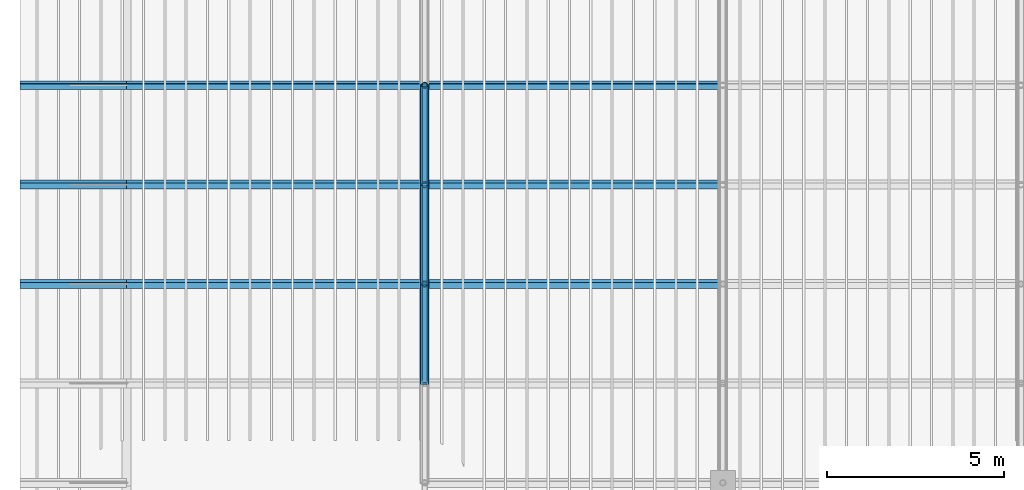
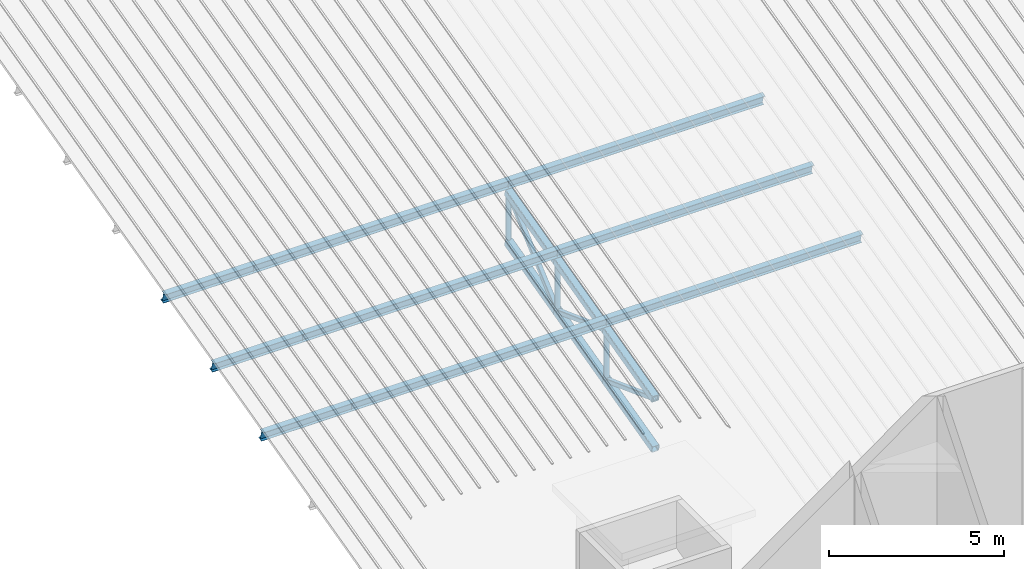
# One storey, part 6 of 114: 21 members.
"""IFC4 building model written with IfcOpenShell, lengths in metres."""

from ifc_helpers import new_model, si_unit, direction, frame, origin, origin_2d, place, context, subcontext, project, spatial, hollow_rectangle, hollow_circle, i_section, extrude, material, material_profile, profile_set, type_object, element, save


model = new_model("IFC4")

# Units and contexts
model_context = context("Model", 3, precision=1e-05, world=origin(), true_north=direction((0.0, 1.0)))
body_context = subcontext(model_context, "Body", "Model", "MODEL_VIEW")
ifc_project = project(units=[si_unit("LENGTHUNIT", "METRE"), si_unit("AREAUNIT", "SQUARE_METRE"), si_unit("VOLUMEUNIT", "CUBIC_METRE"), si_unit("PLANEANGLEUNIT", "RADIAN"), si_unit("MASSUNIT", "GRAM", prefix="KILO")], contexts=[model_context])

# Site, building, storey
site_placement = place(None, origin())
site = spatial("IfcSite", under=ifc_project, at=site_placement, CompositionType="ELEMENT")
building_placement = place(site_placement, origin())
building = spatial("IfcBuilding", under=site, at=building_placement, Name="Almond Square Museum", CompositionType="ELEMENT")
storey_placement = place(building_placement, frame((0.0, 0.0, 10.5)))
storey = spatial("IfcBuildingStorey", under=building, at=storey_placement, Name="L02", CompositionType="ELEMENT", Elevation=10.5)

# Members
ifc_material_1 = material(Name="Structural steel S355", Category="steel")
ifc_material_profile_1 = material_profile(ifc_material_1, i_section(OverallWidth=0.1708984375, OverallDepth=0.35595703125, WebThickness=0.00732421875, FlangeThickness=0.01171875, at=origin_2d()))
ifc_profile_set_1 = profile_set([ifc_material_profile_1], Name="Structural steel S355")
member_type_1 = type_object("IfcMemberType", Name="Steel purlin W360x51", PredefinedType="PURLIN", material=ifc_profile_set_1)
member_1_placement = place(storey_placement, frame((6.0, 89.60009765625, 4.454833984375), z_axis=(1.0, 0.0, 0.0), x_axis=(0.0, 0.969459905022, 0.245249857402)))
element("IfcMember", 1, at=member_1_placement, inside=storey, type_object=member_type_1, Name="Auditorium purlin 7.1", PredefinedType="PURLIN", context=body_context, shape_type="SweptSolid", body=[
    extrude(i_section(OverallWidth=0.1708984375, OverallDepth=0.35595703125, WebThickness=0.00732421875, FlangeThickness=0.01171875, at=origin_2d()), origin(), (0.0, 0.0, 1.0), 8.39990234375),
])
member_2_placement = place(storey_placement, frame((14.39990234375, 89.60009765625, 4.454833984375), z_axis=(1.0, 0.0, 0.0), x_axis=(0.0, 0.969459905022, 0.245249857402)))
element("IfcMember", 2, at=member_2_placement, inside=storey, type_object=member_type_1, Name="Auditorium purlin 7.2", PredefinedType="PURLIN", context=body_context, shape_type="SweptSolid", body=[
    extrude(i_section(OverallWidth=0.1708984375, OverallDepth=0.35595703125, WebThickness=0.00732421875, FlangeThickness=0.01171875, at=origin_2d()), origin(), (0.0, 0.0, 1.0), 8.400146484375),
])
member_3_placement = place(storey_placement, frame((6.0, 92.39990234375, 5.1630859375), z_axis=(1.0, 0.0, 0.0), x_axis=(0.0, 0.969459905022, 0.245249857402)))
element("IfcMember", 3, at=member_3_placement, inside=storey, type_object=member_type_1, Name="Auditorium purlin 8.1", PredefinedType="PURLIN", context=body_context, shape_type="SweptSolid", body=[
    extrude(i_section(OverallWidth=0.1708984375, OverallDepth=0.35595703125, WebThickness=0.00732421875, FlangeThickness=0.01171875, at=origin_2d()), origin(), (0.0, 0.0, 1.0), 8.39990234375),
])
member_4_placement = place(storey_placement, frame((14.39990234375, 92.39990234375, 5.1630859375), z_axis=(1.0, 0.0, 0.0), x_axis=(0.0, 0.969459905022, 0.245249857402)))
element("IfcMember", 4, at=member_4_placement, inside=storey, type_object=member_type_1, Name="Auditorium purlin 8.2", PredefinedType="PURLIN", context=body_context, shape_type="SweptSolid", body=[
    extrude(i_section(OverallWidth=0.1708984375, OverallDepth=0.35595703125, WebThickness=0.00732421875, FlangeThickness=0.01171875, at=origin_2d()), origin(), (0.0, 0.0, 1.0), 8.400146484375),
])
member_5_placement = place(storey_placement, frame((6.0, 95.199951171875, 5.87158203125), z_axis=(1.0, 0.0, 0.0), x_axis=(0.0, 0.969459905022, 0.245249857402)))
element("IfcMember", 5, at=member_5_placement, inside=storey, type_object=member_type_1, Name="Auditorium purlin 9.1", PredefinedType="PURLIN", context=body_context, shape_type="SweptSolid", body=[
    extrude(i_section(OverallWidth=0.1708984375, OverallDepth=0.35595703125, WebThickness=0.00732421875, FlangeThickness=0.01171875, at=origin_2d()), origin(), (0.0, 0.0, 1.0), 8.39990234375),
])
member_6_placement = place(storey_placement, frame((14.39990234375, 95.199951171875, 5.87158203125), z_axis=(1.0, 0.0, 0.0), x_axis=(0.0, 0.969459905022, 0.245249857402)))
element("IfcMember", 6, at=member_6_placement, inside=storey, type_object=member_type_1, Name="Auditorium purlin 9.2", PredefinedType="PURLIN", context=body_context, shape_type="SweptSolid", body=[
    extrude(i_section(OverallWidth=0.1708984375, OverallDepth=0.35595703125, WebThickness=0.00732421875, FlangeThickness=0.01171875, at=origin_2d()), origin(), (0.0, 0.0, 1.0), 8.400146484375),
])
for number, where, z_axis, x_axis, name in (
    (7, (3.0, 89.60009765625, 4.454833984375), (1.0, 0.0, 0.0), (0.0, 0.969459905022, 0.245249857402), "Auditorium west eave purlin 7"),
    (8, (3.0, 92.39990234375, 5.1630859375), (1.0, 0.0, 0.0), (0.0, 0.969459905022, 0.245249857402), "Auditorium west eave purlin 8"),
    (9, (3.0, 95.199951171875, 5.87158203125), (1.0, 0.0, 0.0), (0.0, 0.969459905022, 0.245249857402), "Auditorium west eave purlin 9"),
):
    element("IfcMember", number, at=place(storey_placement, frame(where, z_axis=z_axis, x_axis=x_axis)), inside=storey, type_object=member_type_1, Name=name, PredefinedType="PURLIN", context=body_context, shape_type="SweptSolid", body=[
        extrude(i_section(OverallWidth=0.1708984375, OverallDepth=0.35595703125, WebThickness=0.00732421875, FlangeThickness=0.01171875, at=origin_2d()), origin(), (0.0, 0.0, 1.0), 3.0),
    ])
ifc_material_2 = material(Name="Structural steel S355", Category="steel")
ifc_material_profile_2 = material_profile(ifc_material_2, hollow_rectangle(XDim=0.25, YDim=0.25, WallThickness=0.012451171875, InnerFilletRadius=0.02490234375, OuterFilletRadius=0.03759765625, at=origin_2d()))
ifc_profile_set_2 = profile_set([ifc_material_profile_2], Name="Structural steel S355")
member_type_2 = type_object("IfcMemberType", Name="Truss chord SHS 250x250x12.5", PredefinedType="CHORD", material=ifc_profile_set_2)
for number, where, z_axis, x_axis, name in (
    (10, (14.39990234375, 86.800048828125, 3.43798828125), (0.0, 0.969467521681, 0.245219747179), (-1.0, 0.0, 0.0), "TR-13 top chord 5"),
    (11, (14.39990234375, 86.800048828125, 1.68798828125), (0.0, 0.969467521681, 0.245219747179), (-1.0, 0.0, 0.0), "TR-13 bottom chord 5"),
):
    element("IfcMember", number, at=place(storey_placement, frame(where, z_axis=z_axis, x_axis=x_axis)), inside=storey, type_object=member_type_2, Name=name, PredefinedType="CHORD", context=body_context, shape_type="SweptSolid", body=[
        extrude(hollow_rectangle(XDim=0.25, YDim=0.25, WallThickness=0.012451171875, InnerFilletRadius=0.02490234375, OuterFilletRadius=0.03759765625, at=origin_2d()), origin(), (0.0, 0.0, 1.0), 2.88818359375),
    ])
for number, where, z_axis, x_axis, name in (
    (12, (14.39990234375, 89.60009765625, 4.146240234375), (0.0, 0.969462438073, 0.245239844162), (-1.0, 0.0, 0.0), "TR-13 top chord 6"),
    (13, (14.39990234375, 89.60009765625, 2.396240234375), (0.0, 0.969462438073, 0.245239844162), (-1.0, 0.0, 0.0), "TR-13 bottom chord 6"),
):
    element("IfcMember", number, at=place(storey_placement, frame(where, z_axis=z_axis, x_axis=x_axis)), inside=storey, type_object=member_type_2, Name=name, PredefinedType="CHORD", context=body_context, shape_type="SweptSolid", body=[
        extrude(hollow_rectangle(XDim=0.25, YDim=0.25, WallThickness=0.012451171875, InnerFilletRadius=0.02490234375, OuterFilletRadius=0.03759765625, at=origin_2d()), origin(), (0.0, 0.0, 1.0), 2.887939453125),
    ])
for number, where, z_axis, x_axis, name in (
    (14, (14.39990234375, 92.39990234375, 4.8544921875), (0.0, 0.969447423453, 0.245299191112), (-1.0, 0.0, 0.0), "TR-13 top chord 7"),
    (15, (14.39990234375, 92.39990234375, 3.1044921875), (0.0, 0.969447423453, 0.245299191112), (-1.0, 0.0, 0.0), "TR-13 bottom chord 7"),
):
    element("IfcMember", number, at=place(storey_placement, frame(where, z_axis=z_axis, x_axis=x_axis)), inside=storey, type_object=member_type_2, Name=name, PredefinedType="CHORD", context=body_context, shape_type="SweptSolid", body=[
        extrude(hollow_rectangle(XDim=0.25, YDim=0.25, WallThickness=0.012451171875, InnerFilletRadius=0.02490234375, OuterFilletRadius=0.03759765625, at=origin_2d()), origin(), (0.0, 0.0, 1.0), 2.88818359375),
    ])
ifc_material_3 = material(Name="Structural steel S355", Category="steel")
ifc_material_profile_3 = material_profile(ifc_material_3, hollow_rectangle(XDim=0.14990234375, YDim=0.14990234375, WallThickness=0.008056640625, InnerFilletRadius=0.011962890625, OuterFilletRadius=0.02001953125, at=origin_2d()))
ifc_profile_set_3 = profile_set([ifc_material_profile_3], Name="Structural steel S355")
member_type_3 = type_object("IfcMemberType", Name="Truss diagonal SHS 150x150x8", PredefinedType="BRACE", material=ifc_profile_set_3)
member_7_placement = place(storey_placement, frame((14.39990234375, 86.800048828125, 3.43798828125), z_axis=(0.0, 0.937236136552, -0.348695317348), x_axis=(-1.0, 0.0, 0.0)))
element("IfcMember", 16, at=member_7_placement, inside=storey, type_object=member_type_3, Name="TR-13 diagonal 5", PredefinedType="BRACE", context=body_context, shape_type="SweptSolid", body=[
    extrude(hollow_rectangle(XDim=0.14990234375, YDim=0.14990234375, WallThickness=0.008056640625, InnerFilletRadius=0.011962890625, OuterFilletRadius=0.02001953125, at=origin_2d()), origin(), (0.0, 0.0, 1.0), 2.987548828125),
])
member_8_placement = place(storey_placement, frame((14.39990234375, 89.60009765625, 4.146240234375), z_axis=(0.0, 0.937226199316, -0.348722025853), x_axis=(-1.0, 0.0, 0.0)))
element("IfcMember", 17, at=member_8_placement, inside=storey, type_object=member_type_3, Name="TR-13 diagonal 6", PredefinedType="BRACE", context=body_context, shape_type="SweptSolid", body=[
    extrude(hollow_rectangle(XDim=0.14990234375, YDim=0.14990234375, WallThickness=0.008056640625, InnerFilletRadius=0.011962890625, OuterFilletRadius=0.02001953125, at=origin_2d()), origin(), (0.0, 0.0, 1.0), 2.9873046875),
])
member_9_placement = place(storey_placement, frame((14.39990234375, 92.39990234375, 3.1044921875), z_axis=(0.0, 0.751451317382, 0.659788540068), x_axis=(-1.0, 0.0, 0.0)))
element("IfcMember", 18, at=member_9_placement, inside=storey, type_object=member_type_3, Name="TR-13 diagonal 7", PredefinedType="BRACE", context=body_context, shape_type="SweptSolid", body=[
    extrude(hollow_rectangle(XDim=0.14990234375, YDim=0.14990234375, WallThickness=0.008056640625, InnerFilletRadius=0.011962890625, OuterFilletRadius=0.02001953125, at=origin_2d()), origin(), (0.0, 0.0, 1.0), 3.72607421875),
])
ifc_material_4 = material(Name="Structural steel S355", Category="steel")
ifc_material_profile_4 = material_profile(ifc_material_4, hollow_circle(Radius=0.084228515625, WallThickness=0.008056640625, at=origin_2d()))
ifc_profile_set_4 = profile_set([ifc_material_profile_4], Name="Structural steel S355")
member_type_4 = type_object("IfcMemberType", Name="Truss post CHS 168.3x8", PredefinedType="POST", material=ifc_profile_set_4)
for number, where, z_axis, x_axis, name in (
    (19, (14.39990234375, 89.60009765625, 2.396240234375), (0.0, 0.0, 1.0), (1.0, 0.0, 0.0), "TR-13 post 6"),
    (20, (14.39990234375, 92.39990234375, 3.1044921875), (0.0, 0.0, 1.0), (1.0, 0.0, 0.0), "TR-13 post 7"),
    (21, (14.39990234375, 95.199951171875, 3.81298828125), (0.0, 0.0, 1.0), (1.0, 0.0, 0.0), "TR-13 post 8"),
):
    element("IfcMember", number, at=place(storey_placement, frame(where, z_axis=z_axis, x_axis=x_axis)), inside=storey, type_object=member_type_4, Name=name, PredefinedType="POST", context=body_context, shape_type="SweptSolid", body=[
        extrude(hollow_circle(Radius=0.084228515625, WallThickness=0.008056640625, at=origin_2d()), origin(), (0.0, 0.0, 1.0), 1.75),
    ])

save(model, "model.ifc")
